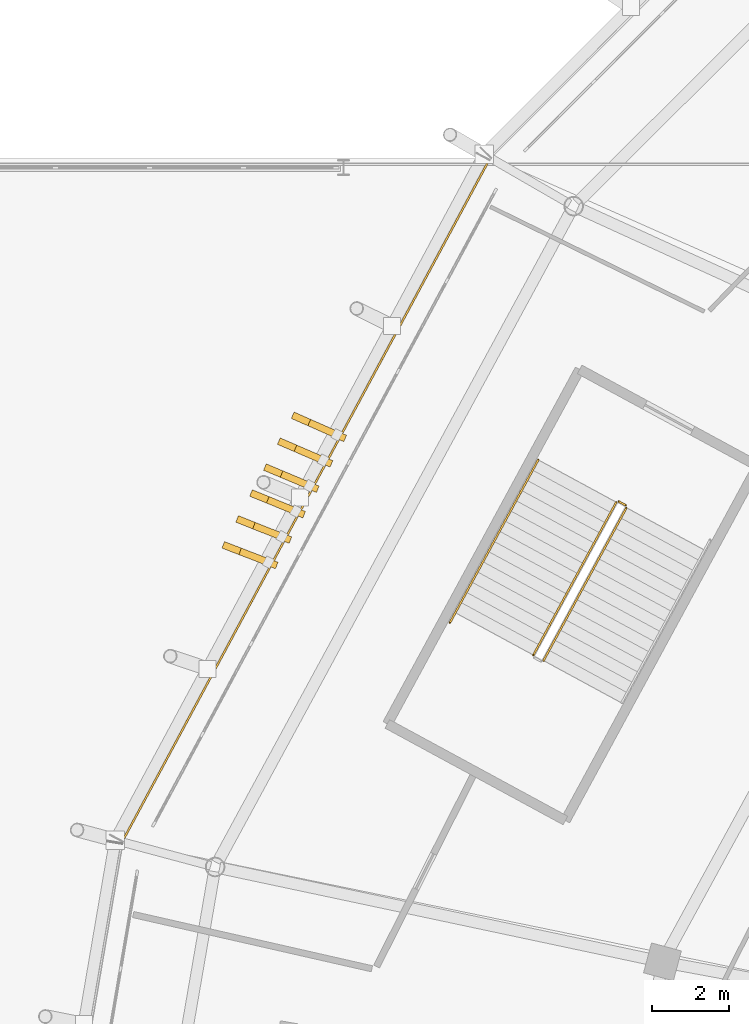
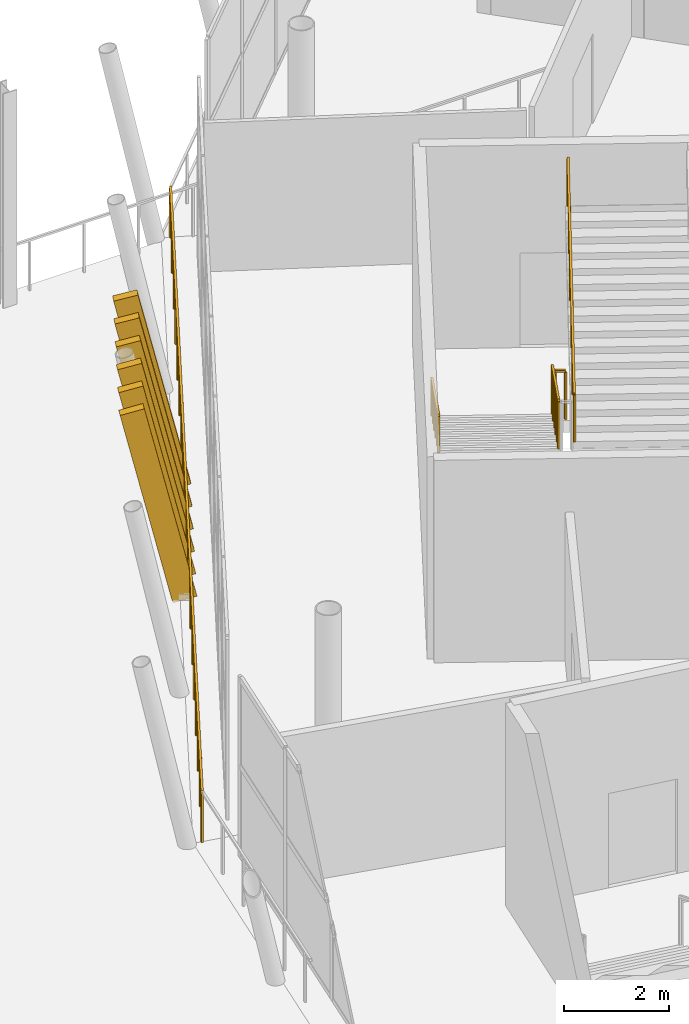
# One storey, part 157 of 179: 6 shading devices, 5 railings.
"""IFC4 building model written with IfcOpenShell, lengths in metres."""

from ifc_helpers import new_model, si_unit, direction, frame, origin, origin_2d, place, context, subcontext, project, spatial, rectangle, extrude, material, material_profile, profile_set, type_object, element, save


model = new_model("IFC4")

# Units and contexts
model_context = context("Model", 3, precision=1e-05, world=origin(), true_north=direction((0.0, 1.0)))
body_context = subcontext(model_context, "Body", "Model", "MODEL_VIEW")
ifc_project = project(units=[si_unit("LENGTHUNIT", "METRE"), si_unit("AREAUNIT", "SQUARE_METRE"), si_unit("VOLUMEUNIT", "CUBIC_METRE"), si_unit("PLANEANGLEUNIT", "RADIAN"), si_unit("MASSUNIT", "GRAM", prefix="KILO")], contexts=[model_context])

# Site, building, storey
site_placement = place(None, origin())
site = spatial("IfcSite", under=ifc_project, at=site_placement, CompositionType="ELEMENT")
building_placement = place(site_placement, origin())
building = spatial("IfcBuilding", under=site, at=building_placement, Name="Zlatoyarsky Gate Stadium", CompositionType="ELEMENT")
storey_placement = place(building_placement, frame((0.0, 0.0, 10.60009765625)))
storey = spatial("IfcBuildingStorey", under=building, at=storey_placement, Name="L02", CompositionType="ELEMENT", Elevation=10.60009765625)

# Railings
ifc_material_1 = material(Name="Powder-coated steel tubular guardrail", Category="steel")
railing_type_1 = type_object("IfcRailingType", Name="CONCOURSE SLAB EDGE GUARDRAIL 1200", PredefinedType="GUARDRAIL", material=ifc_material_1)
railing_1_placement = place(storey_placement, frame((28.298095703125, 116.747802734375, 0.0)))
element("IfcRailing", 1, at=railing_1_placement, inside=storey, type_object=railing_type_1, Name="L02 outer slab edge guardrail 10", PredefinedType="GUARDRAIL", context=body_context, shape_type="SweptSolid", body=[
    extrude(rectangle(XDim=0.048095703125, YDim=0.048095703125, at=origin_2d()), frame((0.0, 0.0, 1.17578125), z_axis=(-0.473926234196, -0.880564548765, 0.0), x_axis=(0.880564548765, -0.473926234196, 0.0)), (0.0, 0.0, 1.0), 20.1298828125),
    extrude(rectangle(XDim=0.0419921875, YDim=0.0419921875, at=origin_2d()), origin(), (0.0, 0.0, 1.0), 1.15185546875),
    extrude(rectangle(XDim=0.0419921875, YDim=0.0419921875, at=origin_2d()), frame((-0.561279296875, -1.042724609375, 0.0)), (0.0, 0.0, 1.0), 1.15185546875),
    extrude(rectangle(XDim=0.0419921875, YDim=0.0419921875, at=origin_2d()), frame((-1.122314453125, -2.08544921875, 0.0)), (0.0, 0.0, 1.0), 1.15185546875),
    extrude(rectangle(XDim=0.0419921875, YDim=0.0419921875, at=origin_2d()), frame((-1.68359375, -3.1279296875, 0.0)), (0.0, 0.0, 1.0), 1.15185546875),
    extrude(rectangle(XDim=0.0419921875, YDim=0.0419921875, at=origin_2d()), frame((-2.24462890625, -4.170654296875, 0.0)), (0.0, 0.0, 1.0), 1.15185546875),
    extrude(rectangle(XDim=0.0419921875, YDim=0.0419921875, at=origin_2d()), frame((-2.805908203125, -5.21337890625, 0.0)), (0.0, 0.0, 1.0), 1.15185546875),
    extrude(rectangle(XDim=0.0419921875, YDim=0.0419921875, at=origin_2d()), frame((-3.3671875, -6.256103515625, 0.0)), (0.0, 0.0, 1.0), 1.15185546875),
    extrude(rectangle(XDim=0.0419921875, YDim=0.0419921875, at=origin_2d()), frame((-3.92822265625, -7.298828125, 0.0)), (0.0, 0.0, 1.0), 1.15185546875),
    extrude(rectangle(XDim=0.0419921875, YDim=0.0419921875, at=origin_2d()), frame((-4.489501953125, -8.341552734375, 0.0)), (0.0, 0.0, 1.0), 1.15185546875),
    extrude(rectangle(XDim=0.0419921875, YDim=0.0419921875, at=origin_2d()), frame((-5.050537109375, -9.384033203125, 0.0)), (0.0, 0.0, 1.0), 1.15185546875),
    extrude(rectangle(XDim=0.0419921875, YDim=0.0419921875, at=origin_2d()), frame((-5.61181640625, -10.4267578125, 0.0)), (0.0, 0.0, 1.0), 1.15185546875),
    extrude(rectangle(XDim=0.0419921875, YDim=0.0419921875, at=origin_2d()), frame((-6.1728515625, -11.469482421875, 0.0)), (0.0, 0.0, 1.0), 1.15185546875),
    extrude(rectangle(XDim=0.0419921875, YDim=0.0419921875, at=origin_2d()), frame((-6.734130859375, -12.51220703125, 0.0)), (0.0, 0.0, 1.0), 1.15185546875),
    extrude(rectangle(XDim=0.0419921875, YDim=0.0419921875, at=origin_2d()), frame((-7.29541015625, -13.554931640625, 0.0)), (0.0, 0.0, 1.0), 1.15185546875),
    extrude(rectangle(XDim=0.0419921875, YDim=0.0419921875, at=origin_2d()), frame((-7.8564453125, -14.59765625, 0.0)), (0.0, 0.0, 1.0), 1.15185546875),
    extrude(rectangle(XDim=0.0419921875, YDim=0.0419921875, at=origin_2d()), frame((-8.417724609375, -15.64013671875, 0.0)), (0.0, 0.0, 1.0), 1.15185546875),
    extrude(rectangle(XDim=0.0419921875, YDim=0.0419921875, at=origin_2d()), frame((-8.978759765625, -16.682861328125, 0.0)), (0.0, 0.0, 1.0), 1.15185546875),
    extrude(rectangle(XDim=0.0419921875, YDim=0.0419921875, at=origin_2d()), frame((-9.5400390625, -17.7255859375, 0.0)), (0.0, 0.0, 1.0), 1.15185546875),
])
ifc_material_2 = material(Name="Powder-coated steel stair guardrail", Category="steel")
railing_type_2 = type_object("IfcRailingType", Name="PAINTED STEEL STAIR WELL GUARDRAIL 1150", PredefinedType="GUARDRAIL", material=ifc_material_2)
railing_2_placement = place(storey_placement, frame((31.562744140625, 107.824951171875, 0.15625)))
element("IfcRailing", 2, at=railing_2_placement, inside=storey, type_object=railing_type_2, Name="ST-06 L02 stair guard 1", PredefinedType="GUARDRAIL", context=body_context, shape_type="SweptSolid", body=[
    extrude(rectangle(XDim=0.048095703125, YDim=0.048095703125, at=origin_2d()), frame((0.0, 0.0, 1.1259765625), z_axis=(-0.422959741779, -0.779564365935, 0.461935554162), x_axis=(0.878963249763, -0.476889510858, 0.0)), (0.0, 0.0, 1.0), 5.07373046875),
    extrude(rectangle(XDim=0.0419921875, YDim=0.0419921875, at=origin_2d()), origin(), (0.0, 0.0, 1.0), 1.101806640625),
    extrude(rectangle(XDim=0.0419921875, YDim=0.0419921875, at=origin_2d()), frame((-0.42919921875, -0.791015625, 0.46875)), (0.0, 0.0, 1.0), 1.101806640625),
    extrude(rectangle(XDim=0.0419921875, YDim=0.0419921875, at=origin_2d()), frame((-0.8583984375, -1.58203125, 0.9375)), (0.0, 0.0, 1.0), 1.101806640625),
    extrude(rectangle(XDim=0.0419921875, YDim=0.0419921875, at=origin_2d()), frame((-1.28759765625, -2.373291015625, 1.40625)), (0.0, 0.0, 1.0), 1.101806640625),
    extrude(rectangle(XDim=0.0419921875, YDim=0.0419921875, at=origin_2d()), frame((-1.716796875, -3.164306640625, 1.875)), (0.0, 0.0, 1.0), 1.101806640625),
    extrude(rectangle(XDim=0.0419921875, YDim=0.0419921875, at=origin_2d()), frame((-2.14599609375, -3.955322265625, 2.34375)), (0.0, 0.0, 1.0), 1.101806640625),
])
railing_3_placement = place(storey_placement, frame((29.680419921875, 103.7265625, 2.65625)))
element("IfcRailing", 3, at=railing_3_placement, inside=storey, type_object=railing_type_2, Name="ST-06 L02 stair guard 3", PredefinedType="GUARDRAIL", context=body_context, shape_type="SweptSolid", body=[
    extrude(rectangle(XDim=0.048095703125, YDim=0.048095703125, at=origin_2d()), frame((0.0, 0.0, 1.1259765625), z_axis=(0.422959741779, 0.779564365935, 0.461935554162), x_axis=(-0.878963249763, 0.476889510858, 0.0)), (0.0, 0.0, 1.0), 5.07373046875),
    extrude(rectangle(XDim=0.0419921875, YDim=0.0419921875, at=origin_2d()), origin(), (0.0, 0.0, 1.0), 1.101806640625),
    extrude(rectangle(XDim=0.0419921875, YDim=0.0419921875, at=origin_2d()), frame((0.42919921875, 0.791015625, 0.46875)), (0.0, 0.0, 1.0), 1.101806640625),
    extrude(rectangle(XDim=0.0419921875, YDim=0.0419921875, at=origin_2d()), frame((0.8583984375, 1.58203125, 0.9375)), (0.0, 0.0, 1.0), 1.101806640625),
    extrude(rectangle(XDim=0.0419921875, YDim=0.0419921875, at=origin_2d()), frame((1.28759765625, 2.373291015625, 1.40625)), (0.0, 0.0, 1.0), 1.101806640625),
    extrude(rectangle(XDim=0.0419921875, YDim=0.0419921875, at=origin_2d()), frame((1.716796875, 3.164306640625, 1.875)), (0.0, 0.0, 1.0), 1.101806640625),
    extrude(rectangle(XDim=0.0419921875, YDim=0.0419921875, at=origin_2d()), frame((2.14599609375, 3.955322265625, 2.34375)), (0.0, 0.0, 1.0), 1.101806640625),
])
railing_4_placement = place(storey_placement, frame((31.63037109375, 107.84521484375, 0.0)))
element("IfcRailing", 4, at=railing_4_placement, inside=storey, type_object=railing_type_2, Name="ST-06 L02 stair guard 4", PredefinedType="GUARDRAIL", context=body_context, shape_type="SweptSolid", body=[
    extrude(rectangle(XDim=0.048095703125, YDim=0.048095703125, at=origin_2d()), frame((0.0, 0.0, 1.1259765625), z_axis=(0.878780312785, -0.477226530971, 0.0), x_axis=(0.477226530971, 0.878780312785, 0.0)), (0.0, 0.0, 1.0), 0.199951171875),
    extrude(rectangle(XDim=0.0419921875, YDim=0.0419921875, at=origin_2d()), origin(), (0.0, 0.0, 1.0), 1.101806640625),
    extrude(rectangle(XDim=0.0419921875, YDim=0.0419921875, at=origin_2d()), frame((0.17578125, -0.095458984375, 0.0)), (0.0, 0.0, 1.0), 1.101806640625),
])

# Shading devices
ifc_material_3 = material(Name="Precast concrete C40/50 stone-toned architectural rib", Category="masonry")
ifc_material_profile = material_profile(ifc_material_3, rectangle(XDim=0.179931640625, YDim=0.47998046875, at=origin_2d()), Name="RIB 180X480")
ifc_profile_set = profile_set([ifc_material_profile], Name="Precast concrete C40/50 stone-toned architectural rib")
shading_device_type = type_object("IfcShadingDeviceType", Name="PRECAST RIBBED BOWL LOUVRE FIN 180X480", PredefinedType="JALOUSIE", material=ifc_profile_set)
shading_device_placement = place(storey_placement, frame((24.324951171875, 109.57421875, -0.010009765625), z_axis=(-0.202575025722, 0.089755828553, 0.975144732947), x_axis=(-0.405092293285, -0.914275797515, 0.0)))
element("IfcShadingDevice", 5, at=shading_device_placement, inside=storey, type_object=shading_device_type, Name="Leaning bowl louvre fin L02-10-1", PredefinedType="JALOUSIE", context=body_context, shape_type="SweptSolid", body=[
    extrude(rectangle(XDim=0.179931640625, YDim=0.47998046875, at=origin_2d()), origin(), (0.0, 0.0, 1.0), 4.59423828125),
])
for number, where, z_axis, x_axis, name in (
    (6, (23.969482421875, 108.913818359375, -0.010009765625), (-0.203375688997, 0.087737983416, 0.975161717558), (-0.396118875859, -0.918199235563, 0.0), "Leaning bowl louvre fin L02-10-2"),
    (7, (23.6142578125, 108.253173828125, -0.010009765625), (-0.204225414002, 0.08577148535, 0.975159080651), (-0.387220248003, -0.92198724478, 0.0), "Leaning bowl louvre fin L02-10-3"),
    (8, (23.2587890625, 107.5927734375, -0.010009765625), (-0.20502419839, 0.083752757041, 0.975166936356), (-0.378165632721, -0.925737951166, 0.0), "Leaning bowl louvre fin L02-10-4"),
):
    element("IfcShadingDevice", number, at=place(storey_placement, frame(where, z_axis=z_axis, x_axis=x_axis)), inside=storey, type_object=shading_device_type, Name=name, PredefinedType="JALOUSIE", context=body_context, shape_type="SweptSolid", body=[
        extrude(rectangle(XDim=0.179931640625, YDim=0.47998046875, at=origin_2d()), origin(), (0.0, 0.0, 1.0), 4.593994140625),
    ])
for number, where, z_axis, x_axis, name in (
    (9, (22.903564453125, 106.93212890625, -0.010009765625), (-0.205922910517, 0.081784608848, 0.975144621418), (-0.36911520837, -0.929383646806, 0.0), "Leaning bowl louvre fin L02-10-5"),
    (10, (22.548095703125, 106.271728515625, -0.010009765625), (-0.206719752707, 0.07976512823, 0.975143306473), (-0.359991364661, -0.932955635263, 0.0), "Leaning bowl louvre fin L02-10-6"),
):
    element("IfcShadingDevice", number, at=place(storey_placement, frame(where, z_axis=z_axis, x_axis=x_axis)), inside=storey, type_object=shading_device_type, Name=name, PredefinedType="JALOUSIE", context=body_context, shape_type="SweptSolid", body=[
        extrude(rectangle(XDim=0.179931640625, YDim=0.47998046875, at=origin_2d()), origin(), (0.0, 0.0, 1.0), 4.59423828125),
    ])

# Railing
ifc_material_4 = material(Name="Brushed stainless steel 316 handrail", Category="steel")
railing_type_3 = type_object("IfcRailingType", Name="STAINLESS STEEL TUBULAR HANDRAIL 900", PredefinedType="HANDRAIL", material=ifc_material_4)
railing_5_placement = place(storey_placement, frame((29.541015625, 108.921875, 0.16015625)))
element("IfcRailing", 11, at=railing_5_placement, inside=storey, type_object=railing_type_3, Name="ST-06 L02 stair handrail 1", PredefinedType="HANDRAIL", context=body_context, shape_type="SweptSolid", body=[
    extrude(rectangle(XDim=0.048095703125, YDim=0.048095703125, at=origin_2d()), frame((0.0, 0.0, 0.8759765625), z_axis=(-0.422960733392, -0.779563186192, 0.461936637151), x_axis=(0.878962478599, -0.4768909322, 0.0)), (0.0, 0.0, 1.0), 5.412109375),
    extrude(rectangle(XDim=0.0419921875, YDim=0.0419921875, at=origin_2d()), origin(), (0.0, 0.0, 1.0), 0.851806640625),
    extrude(rectangle(XDim=0.0419921875, YDim=0.0419921875, at=origin_2d()), frame((-0.457763671875, -0.84375, 0.5)), (0.0, 0.0, 1.0), 0.851806640625),
    extrude(rectangle(XDim=0.0419921875, YDim=0.0419921875, at=origin_2d()), frame((-0.91552734375, -1.6875, 1.0)), (0.0, 0.0, 1.0), 0.851806640625),
    extrude(rectangle(XDim=0.0419921875, YDim=0.0419921875, at=origin_2d()), frame((-1.37353515625, -2.531494140625, 1.5)), (0.0, 0.0, 1.0), 0.851806640625),
    extrude(rectangle(XDim=0.0419921875, YDim=0.0419921875, at=origin_2d()), frame((-1.831298828125, -3.375244140625, 2.0)), (0.0, 0.0, 1.0), 0.851806640625),
    extrude(rectangle(XDim=0.0419921875, YDim=0.0419921875, at=origin_2d()), frame((-2.2890625, -4.218994140625, 2.5)), (0.0, 0.0, 1.0), 0.851806640625),
])

save(model, "model.ifc")
